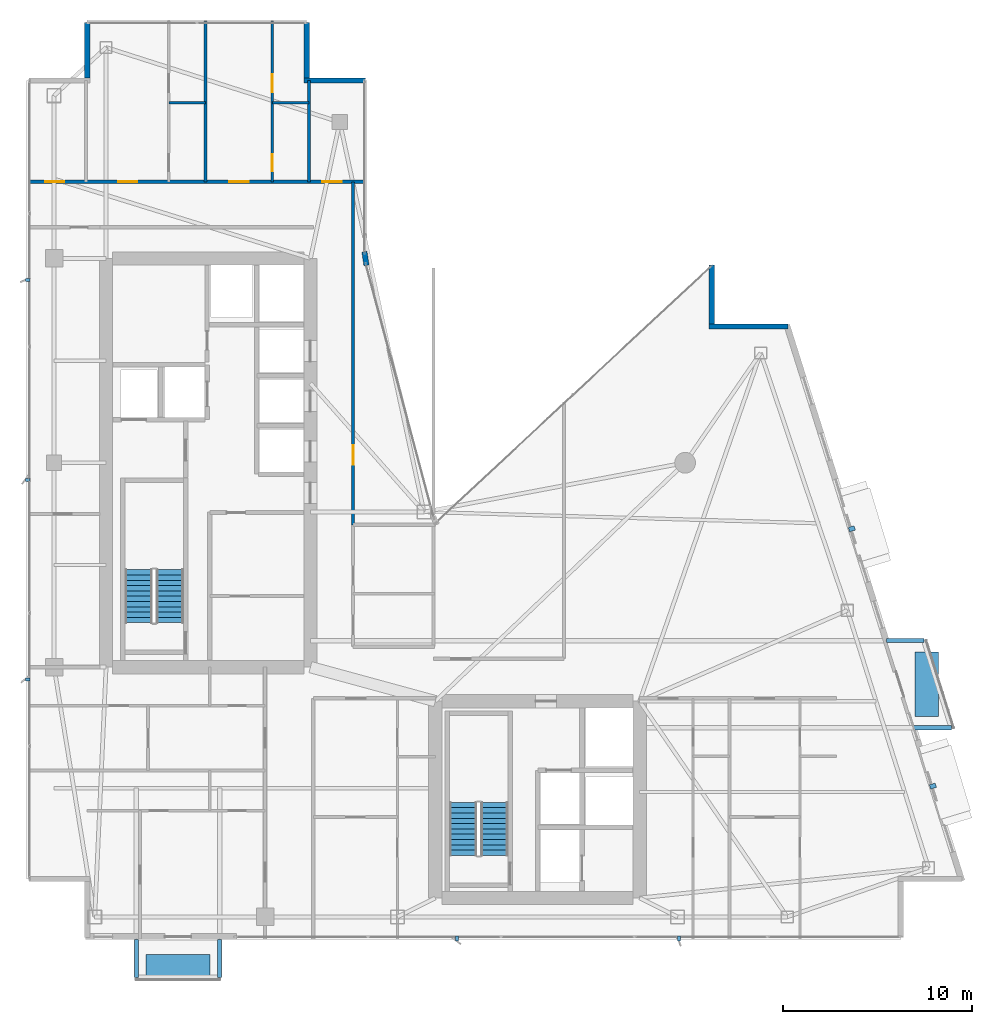
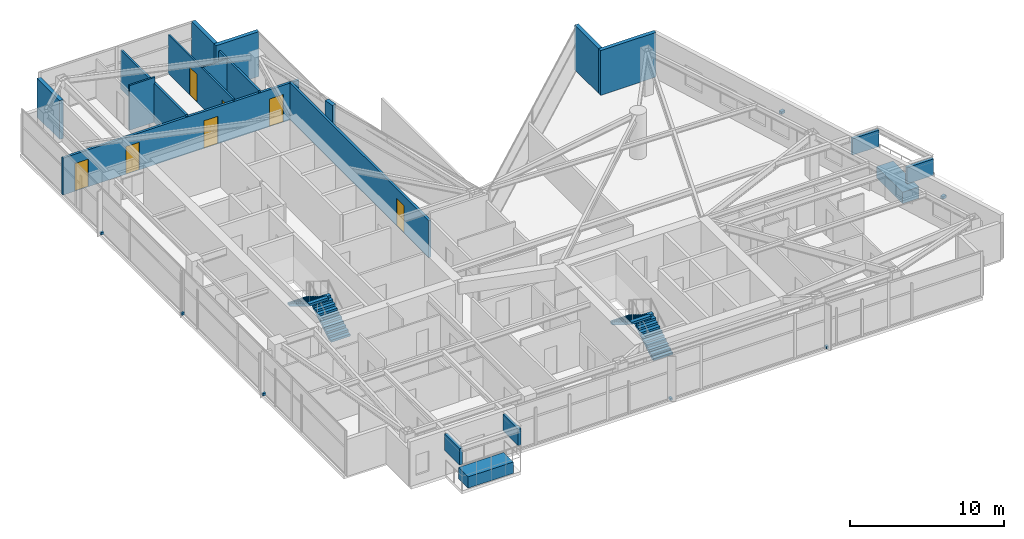
# One storey, part 25 of 27: 13 discrete accessories, 13 walls, 7 doors, 4 stair flights, 7 openings, 2 elements without a shape of their own.
"""IFC4 building model written with IfcOpenShell, lengths in metres."""

from ifc_helpers import new_model, si_unit, direction, frame, frame_2d, origin, origin_2d, place, context, subcontext, project, spatial, polyline, rectangle, outline, extrude, material, layer, layer_set, type_object, element, fill, aggregate, save


model = new_model("IFC4")

# Units and contexts
model_context = context("Model", 3, precision=1e-05, world=origin(), true_north=direction((0.0, 1.0)))
body_context = subcontext(model_context, "Body", "Model", "MODEL_VIEW")
ifc_project = project(units=[si_unit("LENGTHUNIT", "METRE"), si_unit("AREAUNIT", "SQUARE_METRE"), si_unit("VOLUMEUNIT", "CUBIC_METRE"), si_unit("PLANEANGLEUNIT", "RADIAN"), si_unit("MASSUNIT", "GRAM", prefix="KILO")], contexts=[model_context])

# Site, building, storey
site_placement = place(None, origin())
site = spatial("IfcSite", under=ifc_project, at=site_placement, CompositionType="ELEMENT")
building_placement = place(site_placement, origin())
building = spatial("IfcBuilding", under=site, at=building_placement, Name="Calvorn Quay Hotel", CompositionType="ELEMENT")
storey_placement = place(building_placement, frame((0.0, 0.0, 223.10009765625)))
storey = spatial("IfcBuildingStorey", under=building, at=storey_placement, Name="L55", CompositionType="ELEMENT", Elevation=223.10009765625)

# Wall, openings, doors
ifc_material_1 = material(Name="Acoustic Fireboard Steel-Stud Partition", Category="steel")
ifc_layer_1 = layer(ifc_material_1, 0.179931640625)
ifc_layer_set_1 = layer_set([ifc_layer_1], Name="WL-CORR-FIRE-180")
wall_type_1 = type_object("IfcWallType", Name="WL-CORR-FIRE-180", PredefinedType="PARTITIONING", material=ifc_layer_set_1)
wall_1_placement = place(storey_placement, frame((0.080078125, 42.449951171875, 0.0), z_axis=(0.0, 0.0, 1.0), x_axis=(1.0, 0.0, 0.0)))
wall_1 = element("IfcWall", 1, at=wall_1_placement, inside=storey, type_object=wall_type_1, Name="Partition Wall L55-WL-CORR-NW-N", PredefinedType="PARTITIONING", context=body_context, shape_type="SweptSolid", body=[
    extrude(rectangle(XDim=17.77001953125, YDim=0.179931640625, at=frame_2d((8.885009765625, 0.0))), origin(), (0.0, 0.0, 1.0), 2.93994140625),
])
opening_1_placement = place(wall_1_placement, frame((0.89990234375, 0.0, 0.0)))
opening_1 = element("IfcOpeningElement", 2, at=opening_1_placement, cuts=wall_1, Name="Opening D-L55-NWW", PredefinedType="OPENING", context=body_context, shape_type="SweptSolid", body=[
    extrude(rectangle(XDim=1.02001953125, YDim=2.199951171875, at=frame_2d((0.510009765625, 1.10009765625))), frame((0.0, 0.099853515625, 0.0), z_axis=(0.0, -1.0, 0.0), x_axis=(1.0, 0.0, 0.0)), (0.0, 0.0, 1.0), 0.199951171875),
])
opening_2_placement = place(wall_1_placement, frame((4.75, 0.0, 0.0)))
opening_2 = element("IfcOpeningElement", 3, at=opening_2_placement, cuts=wall_1, Name="Opening D-L55-U04", PredefinedType="OPENING", context=body_context, shape_type="SweptSolid", body=[
    extrude(rectangle(XDim=1.02001953125, YDim=2.199951171875, at=frame_2d((0.510009765625, 1.10009765625))), frame((0.0, 0.099853515625, 0.0), z_axis=(0.0, -1.0, 0.0), x_axis=(1.0, 0.0, 0.0)), (0.0, 0.0, 1.0), 0.199951171875),
])
opening_3_placement = place(wall_1_placement, frame((10.6298828125, 0.0, 0.0)))
opening_3 = element("IfcOpeningElement", 4, at=opening_3_placement, cuts=wall_1, Name="Opening D-L55-U05", PredefinedType="OPENING", context=body_context, shape_type="SweptSolid", body=[
    extrude(rectangle(XDim=1.02001953125, YDim=2.199951171875, at=frame_2d((0.510009765625, 1.10009765625))), frame((0.0, 0.099853515625, 0.0), z_axis=(0.0, -1.0, 0.0), x_axis=(1.0, 0.0, 0.0)), (0.0, 0.0, 1.0), 0.199951171875),
])
opening_4_placement = place(wall_1_placement, frame((15.550048828125, 0.0, 0.0)))
opening_4 = element("IfcOpeningElement", 5, at=opening_4_placement, cuts=wall_1, Name="Opening D-L55-NWE", PredefinedType="OPENING", context=body_context, shape_type="SweptSolid", body=[
    extrude(rectangle(XDim=1.02001953125, YDim=2.199951171875, at=frame_2d((0.510009765625, 1.10009765625))), frame((0.0, 0.099853515625, 0.0), z_axis=(0.0, -1.0, 0.0), x_axis=(1.0, 0.0, 0.0)), (0.0, 0.0, 1.0), 0.199951171875),
])
ifc_material_2 = material(Name="Solid-Core Walnut Veneer Hotel Fire Door")
door_type_1 = type_object("IfcDoorType", Name="DR-GUEST-ENTRY-1020", OperationType="NOTDEFINED", PredefinedType="DOOR", material=ifc_material_2)
door_1_placement = place(opening_1_placement, origin())
door_1 = element("IfcDoor", 6, at=door_1_placement, inside=storey, type_object=door_type_1, Name="West Corner Study Door (L55)", OperationType="SINGLE_SWING_LEFT", OverallHeight=2.199951171875, OverallWidth=1.02001953125, PredefinedType="DOOR", context=body_context, shape_type="SweptSolid", body=[
    extrude(rectangle(XDim=1.02001953125, YDim=2.199951171875, at=frame_2d((0.510009765625, 1.10009765625))), frame((0.0, 0.02490234375, 0.0), z_axis=(0.0, -1.0, 0.0), x_axis=(1.0, 0.0, 0.0)), (0.0, 0.0, 1.0), 0.050048828125),
])
fill(opening_1, door_1)
door_2_placement = place(opening_2_placement, origin())
door_2 = element("IfcDoor", 7, at=door_2_placement, inside=storey, type_object=door_type_1, Name="North-West Unit Door U04 (L55)", OperationType="SINGLE_SWING_RIGHT", OverallHeight=2.199951171875, OverallWidth=1.02001953125, PredefinedType="DOOR", context=body_context, shape_type="SweptSolid", body=[
    extrude(rectangle(XDim=1.02001953125, YDim=2.199951171875, at=frame_2d((0.510009765625, 1.10009765625))), frame((0.0, 0.02490234375, 0.0), z_axis=(0.0, -1.0, 0.0), x_axis=(1.0, 0.0, 0.0)), (0.0, 0.0, 1.0), 0.050048828125),
])
fill(opening_2, door_2)
door_3_placement = place(opening_3_placement, origin())
door_3 = element("IfcDoor", 8, at=door_3_placement, inside=storey, type_object=door_type_1, Name="North-West Unit Door U05 (L55)", OperationType="SINGLE_SWING_LEFT", OverallHeight=2.199951171875, OverallWidth=1.02001953125, PredefinedType="DOOR", context=body_context, shape_type="SweptSolid", body=[
    extrude(rectangle(XDim=1.02001953125, YDim=2.199951171875, at=frame_2d((0.510009765625, 1.10009765625))), frame((0.0, 0.02490234375, 0.0), z_axis=(0.0, -1.0, 0.0), x_axis=(1.0, 0.0, 0.0)), (0.0, 0.0, 1.0), 0.050048828125),
])
fill(opening_3, door_3)
door_4_placement = place(opening_4_placement, origin())
door_4 = element("IfcDoor", 9, at=door_4_placement, inside=storey, type_object=door_type_1, Name="Inner Court Study Door (L55)", OperationType="SINGLE_SWING_RIGHT", OverallHeight=2.199951171875, OverallWidth=1.02001953125, PredefinedType="DOOR", context=body_context, shape_type="SweptSolid", body=[
    extrude(rectangle(XDim=1.02001953125, YDim=2.199951171875, at=frame_2d((0.510009765625, 1.10009765625))), frame((0.0, 0.02490234375, 0.0), z_axis=(0.0, -1.0, 0.0), x_axis=(1.0, 0.0, 0.0)), (0.0, 0.0, 1.0), 0.050048828125),
])
fill(opening_4, door_4)

# Wall, opening, door
wall_2_placement = place(storey_placement, frame((17.25, 24.300048828125, 0.0), z_axis=(0.0, 0.0, 1.0), x_axis=(0.0, 1.0, 0.0)))
wall_2 = element("IfcWall", 10, at=wall_2_placement, inside=storey, type_object=wall_type_1, Name="Partition Wall L55-WL-NW-CLOSURE-E", PredefinedType="PARTITIONING", context=body_context, shape_type="SweptSolid", body=[
    extrude(rectangle(XDim=18.14990234375, YDim=0.179931640625, at=frame_2d((9.074951171875, 0.0))), origin(), (0.0, 0.0, 1.0), 2.93994140625),
])
opening_5_placement = place(wall_2_placement, frame((3.199951171875, 0.0, 0.0)))
opening_5 = element("IfcOpeningElement", 11, at=opening_5_placement, cuts=wall_2, Name="Opening D-L55-NCU", PredefinedType="OPENING", context=body_context, shape_type="SweptSolid", body=[
    extrude(rectangle(XDim=1.02001953125, YDim=2.199951171875, at=frame_2d((0.510009765625, 1.10009765625))), frame((0.0, 0.099853515625, 0.0), z_axis=(0.0, -1.0, 0.0), x_axis=(1.0, 0.0, 0.0)), (0.0, 0.0, 1.0), 0.199951171875),
])
door_5_placement = place(opening_5_placement, origin())
door_5 = element("IfcDoor", 12, at=door_5_placement, inside=storey, type_object=door_type_1, Name="Inner Court Horizon Study Door (L55)", OperationType="SINGLE_SWING_RIGHT", OverallHeight=2.199951171875, OverallWidth=1.02001953125, PredefinedType="DOOR", context=body_context, shape_type="SweptSolid", body=[
    extrude(rectangle(XDim=1.02001953125, YDim=2.199951171875, at=frame_2d((0.510009765625, 1.10009765625))), frame((0.0, 0.02490234375, 0.0), z_axis=(0.0, -1.0, 0.0), x_axis=(1.0, 0.0, 0.0)), (0.0, 0.0, 1.0), 0.050048828125),
])
fill(opening_5, door_5)

# Walls
ifc_material_3 = material(Name="Moisture-Resistant Tile-Backed Partition")
ifc_layer_2 = layer(ifc_material_3, 0.125)
ifc_layer_set_2 = layer_set([ifc_layer_2], Name="WL-ENSUITE-125")
wall_type_2 = type_object("IfcWallType", Name="WL-ENSUITE-125", PredefinedType="PARTITIONING", material=ifc_layer_set_2)
wall_3_placement = place(storey_placement, frame((7.52001953125, 46.6201171875, 0.0), z_axis=(0.0, 0.0, 1.0), x_axis=(1.0, 0.0, 0.0)))
element("IfcWall", 13, at=wall_3_placement, inside=storey, type_object=wall_type_2, Name="Partition Wall L55-WL-U04-BDV", PredefinedType="PARTITIONING", context=body_context, shape_type="SweptSolid", body=[
    extrude(rectangle(XDim=1.929931640625, YDim=0.125, at=frame_2d((0.96484375, 0.0))), origin(), (0.0, 0.0, 1.0), 3.559814453125),
])
wall_4_placement = place(storey_placement, frame((12.989990234375, 46.6201171875, 0.0), z_axis=(0.0, 0.0, 1.0), x_axis=(1.0, 0.0, 0.0)))
element("IfcWall", 14, at=wall_4_placement, inside=storey, type_object=wall_type_2, Name="Partition Wall L55-WL-U05-BDV", PredefinedType="PARTITIONING", context=body_context, shape_type="SweptSolid", body=[
    extrude(rectangle(XDim=1.929931640625, YDim=0.125, at=frame_2d((0.96484375, 0.0))), origin(), (0.0, 0.0, 1.0), 3.08984375),
])

# Wall, openings, doors
wall_5_placement = place(storey_placement, frame((12.989990234375, 42.449951171875, 0.0), z_axis=(0.0, 0.0, 1.0), x_axis=(0.0, 1.0, 0.0)))
wall_5 = element("IfcWall", 15, at=wall_5_placement, inside=storey, type_object=wall_type_2, Name="Partition Wall L55-WL-U05-BV", PredefinedType="PARTITIONING", context=body_context, shape_type="SweptSolid", body=[
    extrude(rectangle(XDim=8.489990234375, YDim=0.125, at=frame_2d((4.2451171875, 0.0))), origin(), (0.0, 0.0, 1.0), 3.08984375),
])
opening_6_placement = place(wall_5_placement, frame((0.550048828125, 0.0, 0.0)))
opening_6 = element("IfcOpeningElement", 16, at=opening_6_placement, cuts=wall_5, Name="Opening D-L55-E05", PredefinedType="OPENING", context=body_context, shape_type="SweptSolid", body=[
    extrude(rectangle(XDim=0.89990234375, YDim=2.14990234375, at=frame_2d((0.449951171875, 1.074951171875))), frame((0.0, 0.072509765625, 0.0), z_axis=(0.0, -1.0, 0.0), x_axis=(1.0, 0.0, 0.0)), (0.0, 0.0, 1.0), 0.14501953125),
])
opening_7_placement = place(wall_5_placement, frame((4.719970703125, 0.0, 0.0)))
opening_7 = element("IfcOpeningElement", 17, at=opening_7_placement, cuts=wall_5, Name="Opening D-L55-S05", PredefinedType="OPENING", context=body_context, shape_type="SweptSolid", body=[
    extrude(rectangle(XDim=0.9599609375, YDim=2.199951171875, at=frame_2d((0.47998046875, 1.10009765625))), frame((0.0, 0.072509765625, 0.0), z_axis=(0.0, -1.0, 0.0), x_axis=(1.0, 0.0, 0.0)), (0.0, 0.0, 1.0), 0.14501953125),
])
ifc_material_4 = material(Name="Moisture-Sealed Timber En-Suite Door", Category="wood")
door_type_2 = type_object("IfcDoorType", Name="DR-ENSUITE-900", OperationType="NOTDEFINED", PredefinedType="DOOR", material=ifc_material_4)
door_6_placement = place(opening_6_placement, origin())
door_6 = element("IfcDoor", 18, at=door_6_placement, inside=storey, type_object=door_type_2, Name="En-Suite Door 05", OperationType="SINGLE_SWING_LEFT", OverallHeight=2.14990234375, OverallWidth=0.89990234375, PredefinedType="DOOR", context=body_context, shape_type="SweptSolid", body=[
    extrude(rectangle(XDim=0.89990234375, YDim=2.14990234375, at=frame_2d((0.449951171875, 1.074951171875))), frame((0.0, 0.02490234375, 0.0), z_axis=(0.0, -1.0, 0.0), x_axis=(1.0, 0.0, 0.0)), (0.0, 0.0, 1.0), 0.050048828125),
])
fill(opening_6, door_6)
ifc_material_5 = material(Name="Solid Timber Internal Suite Door", Category="wood")
door_type_3 = type_object("IfcDoorType", Name="DR-SUITE-INT-960", OperationType="NOTDEFINED", PredefinedType="DOOR", material=ifc_material_5)
door_7_placement = place(opening_7_placement, origin())
door_7 = element("IfcDoor", 19, at=door_7_placement, inside=storey, type_object=door_type_3, Name="Private Executive Study Door 05", OperationType="SINGLE_SWING_RIGHT", OverallHeight=2.199951171875, OverallWidth=0.9599609375, PredefinedType="DOOR", context=body_context, shape_type="SweptSolid", body=[
    extrude(rectangle(XDim=0.9599609375, YDim=2.199951171875, at=frame_2d((0.47998046875, 1.10009765625))), frame((0.0, 0.02490234375, 0.0), z_axis=(0.0, -1.0, 0.0), x_axis=(1.0, 0.0, 0.0)), (0.0, 0.0, 1.0), 0.050048828125),
])
fill(opening_7, door_7)

# Walls
ifc_material_6 = material(Name="Concrete C40", Category="concrete")
ifc_layer_3 = layer(ifc_material_6, 0.320068359375)
ifc_layer_set_3 = layer_set([ifc_layer_3], Name="WL-EXT-SPANDREL-320")
wall_type_3 = type_object("IfcWallType", Name="WL-EXT-SPANDREL-320", PredefinedType="SOLIDWALL", material=ifc_layer_set_3)
wall_6_placement = place(storey_placement, frame((17.9619140625, 38.030029296875, 0.0), z_axis=(0.0, 0.0, 1.0), x_axis=(-0.15141125477, 0.988470855377, 0.0)))
element("IfcWall", 20, at=wall_6_placement, inside=storey, type_object=wall_type_3, Name="Inner Court Corner Pier L55-ICJ2", PredefinedType="SOLIDWALL", context=body_context, shape_type="SweptSolid", body=[
    extrude(rectangle(XDim=0.738525390625, YDim=0.280029296875, at=frame_2d((0.369140625, 0.0))), origin(), (0.0, 0.0, 1.0), 3.559814453125),
])
wall_7_placement = place(storey_placement, frame((40.239990234375, 34.800048828125, 0.0), z_axis=(0.0, 0.0, 1.0), x_axis=(-1.0, 0.0, 0.0)))
element("IfcWall", 21, at=wall_7_placement, inside=storey, type_object=wall_type_3, Name="Notched Corner Spandrel L55-NE1", PredefinedType="SOLIDWALL", context=body_context, shape_type="SweptSolid", body=[
    extrude(rectangle(XDim=4.179931640625, YDim=0.280029296875, at=frame_2d((2.08984375, 0.0))), origin(), (0.0, 0.0, 1.0), 3.559814453125),
])
wall_8_placement = place(storey_placement, frame((36.199951171875, 34.93994140625, 0.0), z_axis=(0.0, 0.0, 1.0), x_axis=(0.0, 1.0, 0.0)))
element("IfcWall", 22, at=wall_8_placement, inside=storey, type_object=wall_type_3, Name="Notched Corner Spandrel L55-NE2", PredefinedType="SOLIDWALL", context=body_context, shape_type="SweptSolid", body=[
    extrude(rectangle(XDim=3.10009765625, YDim=0.280029296875, at=frame_2d((1.550048828125, 0.0))), origin(), (0.0, 0.0, 1.0), 3.559814453125),
])
wall_9_placement = place(storey_placement, frame((17.89990234375, 47.800048828125, 0.0), z_axis=(0.0, 0.0, 1.0), x_axis=(-1.0, 0.0, 0.0)))
element("IfcWall", 23, at=wall_9_placement, inside=storey, type_object=wall_type_3, Name="Notched Corner Spandrel L55-NWE1", PredefinedType="SOLIDWALL", context=body_context, shape_type="SweptSolid", body=[
    extrude(rectangle(XDim=3.239990234375, YDim=0.280029296875, at=frame_2d((1.6201171875, 0.0))), origin(), (0.0, 0.0, 1.0), 3.559814453125),
])
wall_10_placement = place(storey_placement, frame((14.800048828125, 47.93994140625, 0.0), z_axis=(0.0, 0.0, 1.0), x_axis=(0.0, 1.0, 0.0)))
element("IfcWall", 24, at=wall_10_placement, inside=storey, type_object=wall_type_3, Name="Notched Corner Spandrel L55-NWE2", PredefinedType="SOLIDWALL", context=body_context, shape_type="SweptSolid", body=[
    extrude(rectangle(XDim=2.93994140625, YDim=0.280029296875, at=frame_2d((1.469970703125, 0.0))), origin(), (0.0, 0.0, 1.0), 3.559814453125),
])
wall_11_placement = place(storey_placement, frame((3.199951171875, 50.8798828125, 0.0), z_axis=(0.0, 0.0, 1.0), x_axis=(0.0, -1.0, 0.0)))
element("IfcWall", 25, at=wall_11_placement, inside=storey, type_object=wall_type_3, Name="Notched Corner Spandrel L55-NW1", PredefinedType="SOLIDWALL", context=body_context, shape_type="SweptSolid", body=[
    extrude(rectangle(XDim=2.93994140625, YDim=0.280029296875, at=frame_2d((1.469970703125, 0.0))), origin(), (0.0, 0.0, 1.0), 3.08984375),
])
ifc_material_7 = material(Name="Double-Stud Acoustic Gypsum Partition")
ifc_layer_4 = layer(ifc_material_7, 0.159912109375)
ifc_layer_set_4 = layer_set([ifc_layer_4], Name="WL-INTERSUITE-160")
wall_type_4 = type_object("IfcWallType", Name="WL-INTERSUITE-160", PredefinedType="PARTITIONING", material=ifc_layer_set_4)
wall_12_placement = place(storey_placement, frame((14.919921875, 42.449951171875, 0.0), z_axis=(0.0, 0.0, 1.0), x_axis=(0.0, 1.0, 0.0)))
element("IfcWall", 26, at=wall_12_placement, inside=storey, type_object=wall_type_4, Name="Partition Wall L55-WL-NW-DIV-E0", PredefinedType="PARTITIONING", context=body_context, shape_type="SweptSolid", body=[
    extrude(rectangle(XDim=5.35009765625, YDim=0.159912109375, at=frame_2d((2.675048828125, 0.0))), origin(), (0.0, 0.0, 1.0), 3.08984375),
])
wall_13_placement = place(storey_placement, frame((9.449951171875, 42.449951171875, 0.0), z_axis=(0.0, 0.0, 1.0), x_axis=(0.0, 1.0, 0.0)))
element("IfcWall", 27, at=wall_13_placement, inside=storey, type_object=wall_type_4, Name="Partition Wall L55-WL-NW-DIV-1", PredefinedType="PARTITIONING", context=body_context, shape_type="SweptSolid", body=[
    extrude(rectangle(XDim=8.489990234375, YDim=0.159912109375, at=frame_2d((4.2451171875, 0.0))), origin(), (0.0, 0.0, 1.0), 3.08984375),
])

# Stair, stair flights
ifc_material_8 = material(Name="Concrete C40", Category="concrete")
stair_type = type_object("IfcStairType", Name="STR-CORE-DOGLEG", PredefinedType="HALF_TURN_STAIR", material=ifc_material_8)
stair_1_placement = place(storey_placement, origin())
stair_1 = element("IfcStair", 28, at=stair_1_placement, inside=storey, type_object=stair_type, Name="L55 ST-W", PredefinedType="HALF_TURN_STAIR")
ifc_material_9 = material(Name="Concrete C40", Category="concrete")
stair_flight_type = type_object("IfcStairFlightType", Name="FLT-CORE-1550", PredefinedType="STRAIGHT", material=ifc_material_9)
stair_flight_1_placement = place(storey_placement, frame((7.574951171875, 19.14990234375, 0.0), z_axis=(0.0, 0.0, 1.0), x_axis=(0.0, 1.0, 0.0)))
stair_flight_1 = element("IfcStairFlight", 29, at=stair_flight_1_placement, type_object=stair_flight_type, Name="ST-W flight 1", NumberOfRisers=11, NumberOfTreads=10, PredefinedType="STRAIGHT", RiserHeight=0.172727273, TreadLength=0.28, context=body_context, shape_type="SweptSolid", body=[
    extrude(outline(polyline([(0.0, 0.0), (0.0, 0.172607421875), (0.280029296875, 0.172607421875), (0.280029296875, 0.345458984375), (0.56005859375, 0.345458984375), (0.56005859375, 0.51806640625), (0.840087890625, 0.51806640625), (0.840087890625, 0.69091796875), (1.1201171875, 0.69091796875), (1.1201171875, 0.863525390625), (1.39990234375, 0.863525390625), (1.39990234375, 1.036376953125), (1.679931640625, 1.036376953125), (1.679931640625, 1.208984375), (1.9599609375, 1.208984375), (1.9599609375, 1.3818359375), (2.239990234375, 1.3818359375), (2.239990234375, 1.554443359375), (2.52001953125, 1.554443359375), (2.52001953125, 1.727294921875), (2.800048828125, 1.727294921875), (2.800048828125, 1.89990234375), (2.800048828125, 1.551025390625), (0.285400390625, 0.0), (0.0, 0.0)])), frame((0.0, 0.72509765625, 0.0), z_axis=(0.0, -1.0, 0.0), x_axis=(1.0, 0.0, 0.0)), (0.0, 0.0, 1.0), 1.449951171875),
])
stair_flight_2_placement = place(storey_placement, frame((5.925048828125, 21.949951171875, 1.89990234375), z_axis=(0.0, 0.0, 1.0), x_axis=(0.0, -1.0, 0.0)))
stair_flight_2 = element("IfcStairFlight", 30, at=stair_flight_2_placement, type_object=stair_flight_type, Name="ST-W flight 2", NumberOfRisers=11, NumberOfTreads=10, PredefinedType="STRAIGHT", RiserHeight=0.172727273, TreadLength=0.28, context=body_context, shape_type="SweptSolid", body=[
    extrude(outline(polyline([(0.0, 0.0), (0.0, 0.172607421875), (0.280029296875, 0.172607421875), (0.280029296875, 0.345458984375), (0.56005859375, 0.345458984375), (0.56005859375, 0.51806640625), (0.840087890625, 0.51806640625), (0.840087890625, 0.69091796875), (1.1201171875, 0.69091796875), (1.1201171875, 0.863525390625), (1.39990234375, 0.863525390625), (1.39990234375, 1.036376953125), (1.679931640625, 1.036376953125), (1.679931640625, 1.208984375), (1.9599609375, 1.208984375), (1.9599609375, 1.3818359375), (2.239990234375, 1.3818359375), (2.239990234375, 1.554443359375), (2.52001953125, 1.554443359375), (2.52001953125, 1.727294921875), (2.800048828125, 1.727294921875), (2.800048828125, 1.89990234375), (2.800048828125, 1.551025390625), (0.285400390625, 0.0), (0.0, 0.0)])), frame((0.0, 0.72509765625, 0.0), z_axis=(0.0, -1.0, 0.0), x_axis=(1.0, 0.0, 0.0)), (0.0, 0.0, 1.0), 1.449951171875),
])
aggregate(stair_1, [stair_flight_1, stair_flight_2])

stair_2_placement = place(storey_placement, origin())
stair_2 = element("IfcStair", 31, at=stair_2_placement, inside=storey, type_object=stair_type, Name="L55 ST-E", PredefinedType="HALF_TURN_STAIR")
stair_flight_3_placement = place(storey_placement, frame((24.72509765625, 6.85009765625, 0.0), z_axis=(0.0, 0.0, 1.0), x_axis=(0.0, 1.0, 0.0)))
stair_flight_3 = element("IfcStairFlight", 32, at=stair_flight_3_placement, type_object=stair_flight_type, Name="ST-E flight 1", NumberOfRisers=11, NumberOfTreads=10, PredefinedType="STRAIGHT", RiserHeight=0.172727273, TreadLength=0.28, context=body_context, shape_type="SweptSolid", body=[
    extrude(outline(polyline([(0.0, 0.0), (0.0, 0.172607421875), (0.280029296875, 0.172607421875), (0.280029296875, 0.345458984375), (0.56005859375, 0.345458984375), (0.56005859375, 0.51806640625), (0.840087890625, 0.51806640625), (0.840087890625, 0.69091796875), (1.1201171875, 0.69091796875), (1.1201171875, 0.863525390625), (1.39990234375, 0.863525390625), (1.39990234375, 1.036376953125), (1.679931640625, 1.036376953125), (1.679931640625, 1.208984375), (1.9599609375, 1.208984375), (1.9599609375, 1.3818359375), (2.239990234375, 1.3818359375), (2.239990234375, 1.554443359375), (2.52001953125, 1.554443359375), (2.52001953125, 1.727294921875), (2.800048828125, 1.727294921875), (2.800048828125, 1.89990234375), (2.800048828125, 1.551025390625), (0.285400390625, 0.0), (0.0, 0.0)])), frame((0.0, 0.72509765625, 0.0), z_axis=(0.0, -1.0, 0.0), x_axis=(1.0, 0.0, 0.0)), (0.0, 0.0, 1.0), 1.449951171875),
])
stair_flight_4_placement = place(storey_placement, frame((23.074951171875, 9.64990234375, 1.89990234375), z_axis=(0.0, 0.0, 1.0), x_axis=(0.0, -1.0, 0.0)))
stair_flight_4 = element("IfcStairFlight", 33, at=stair_flight_4_placement, type_object=stair_flight_type, Name="ST-E flight 2", NumberOfRisers=11, NumberOfTreads=10, PredefinedType="STRAIGHT", RiserHeight=0.172727273, TreadLength=0.28, context=body_context, shape_type="SweptSolid", body=[
    extrude(outline(polyline([(0.0, 0.0), (0.0, 0.172607421875), (0.280029296875, 0.172607421875), (0.280029296875, 0.345458984375), (0.56005859375, 0.345458984375), (0.56005859375, 0.51806640625), (0.840087890625, 0.51806640625), (0.840087890625, 0.69091796875), (1.1201171875, 0.69091796875), (1.1201171875, 0.863525390625), (1.39990234375, 0.863525390625), (1.39990234375, 1.036376953125), (1.679931640625, 1.036376953125), (1.679931640625, 1.208984375), (1.9599609375, 1.208984375), (1.9599609375, 1.3818359375), (2.239990234375, 1.3818359375), (2.239990234375, 1.554443359375), (2.52001953125, 1.554443359375), (2.52001953125, 1.727294921875), (2.800048828125, 1.727294921875), (2.800048828125, 1.89990234375), (2.800048828125, 1.551025390625), (0.285400390625, 0.0), (0.0, 0.0)])), frame((0.0, 0.72509765625, 0.0), z_axis=(0.0, -1.0, 0.0), x_axis=(1.0, 0.0, 0.0)), (0.0, 0.0, 1.0), 1.449951171875),
])
aggregate(stair_2, [stair_flight_3, stair_flight_4])

# Discrete accessories
ifc_material_10 = material(Name="Steel Q355B", Category="steel")
discrete_accessory_type_1 = type_object("IfcDiscreteAccessoryType", Name="ACC-BALC-STRUT", PredefinedType="BRACKET", material=ifc_material_10)
for number, where, z_axis, x_axis, name in (
    (34, (47.8740234375, 13.60009765625, 2.0146484375), (0.0, 0.0, 1.0), (1.0, 0.0, 0.0), "Exterior Balcony Steel Bracket L56-BALC-E-A"),
    (35, (46.425048828125, 18.199951171875, 2.0146484375), (0.0, 0.0, 1.0), (1.0, 0.0, 0.0), "Exterior Balcony Steel Bracket L56-BALC-E-B"),
):
    element("IfcDiscreteAccessory", number, at=place(storey_placement, frame(where, z_axis=z_axis, x_axis=x_axis)), inside=storey, type_object=discrete_accessory_type_1, Name=name, PredefinedType="BRACKET", context=body_context, shape_type="SweptSolid", body=[
        extrude(rectangle(XDim=1.989990234375, YDim=0.219970703125, at=origin_2d()), origin(), (0.0, 0.0, 1.0), 1.300048828125),
    ])
for number, where, z_axis, x_axis, name in (
    (36, (5.800048828125, 1.405029296875, 2.0146484375), (0.0, 0.0, 1.0), (1.0, 0.0, 0.0), "Exterior Balcony Steel Bracket L56-BALC-S-A"),
    (37, (10.199951171875, 1.405029296875, 2.0146484375), (0.0, 0.0, 1.0), (1.0, 0.0, 0.0), "Exterior Balcony Steel Bracket L56-BALC-S-B"),
):
    element("IfcDiscreteAccessory", number, at=place(storey_placement, frame(where, z_axis=z_axis, x_axis=x_axis)), inside=storey, type_object=discrete_accessory_type_1, Name=name, PredefinedType="BRACKET", context=body_context, shape_type="SweptSolid", body=[
        extrude(rectangle(XDim=0.219970703125, YDim=1.989990234375, at=origin_2d()), origin(), (0.0, 0.0, 1.0), 1.300048828125),
    ])
ifc_material_11 = material(Name="Steel Q355B", Category="steel")
discrete_accessory_type_2 = type_object("IfcDiscreteAccessoryType", Name="ACC-FIN-BRACKET", PredefinedType="BRACKET", material=ifc_material_11)
for number, where, z_axis, x_axis, name in (
    (38, (0.06005859375, 16.14990234375, 0.02978515625), (0.0, 0.0, 1.0), (1.0, 0.0, 0.0), "Fin Anchor Bracket L55-W01"),
    (39, (0.06005859375, 26.699951171875, 0.02978515625), (0.0, 0.0, 1.0), (1.0, 0.0, 0.0), "Fin Anchor Bracket L55-W02"),
    (40, (0.06005859375, 37.25, 0.02978515625), (0.0, 0.0, 1.0), (1.0, 0.0, 0.0), "Fin Anchor Bracket L55-W03"),
    (41, (22.73291015625, 2.4599609375, 0.02978515625), (0.0, 0.0, 1.0), (0.0, 1.0, 0.0), "Fin Anchor Bracket L55-S01"),
    (42, (34.467041015625, 2.4599609375, 0.02978515625), (0.0, 0.0, 1.0), (0.0, 1.0, 0.0), "Fin Anchor Bracket L55-S02"),
):
    element("IfcDiscreteAccessory", number, at=place(storey_placement, frame(where, z_axis=z_axis, x_axis=x_axis)), inside=storey, type_object=discrete_accessory_type_2, Name=name, PredefinedType="BRACKET", context=body_context, shape_type="SweptSolid", body=[
        extrude(rectangle(XDim=0.239990234375, YDim=0.159912109375, at=origin_2d()), origin(), (0.0, 0.0, 1.0), 0.179931640625),
    ])
for number, where, z_axis, x_axis, name in (
    (43, (47.89501953125, 10.511962890625, 2.3701171875), (0.0, 0.0, 1.0), (0.957319497532, 0.289031796944, 0.0), "Bay Hood Support Bracket L55-HOOD-1"),
    (44, (43.610107421875, 24.112060546875, 2.3701171875), (0.0, 0.0, 1.0), (0.957319497532, 0.289031796944, 0.0), "Bay Hood Support Bracket L55-HOOD-3"),
):
    element("IfcDiscreteAccessory", number, at=place(storey_placement, frame(where, z_axis=z_axis, x_axis=x_axis)), inside=storey, type_object=discrete_accessory_type_2, Name=name, PredefinedType="BRACKET", context=body_context, shape_type="SweptSolid", body=[
        extrude(rectangle(XDim=0.320068359375, YDim=0.239990234375, at=origin_2d()), origin(), (0.0, 0.0, 1.0), 0.199951171875),
    ])
ifc_material_12 = material(Name="Precast concrete C40", Category="concrete")
discrete_accessory_type_3 = type_object("IfcDiscreteAccessoryType", Name="ACC-TREE-PLANTER", PredefinedType="USERDEFINED", material=ifc_material_12)
discrete_accessory_1_placement = place(storey_placement, frame((47.56494140625, 15.89990234375, 0.0), z_axis=(0.0, 0.0, 1.0), x_axis=(1.0, 0.0, 0.0)))
element("IfcDiscreteAccessory", 45, at=discrete_accessory_1_placement, inside=storey, type_object=discrete_accessory_type_3, Name="Subtropical Tree Structural Planter L55-BALC-E", ObjectType="PLANTER", PredefinedType="USERDEFINED", context=body_context, shape_type="SweptSolid", body=[
    extrude(rectangle(XDim=1.25, YDim=3.39990234375, at=origin_2d()), origin(), (0.0, 0.0, 1.0), 0.89990234375),
])
discrete_accessory_2_placement = place(storey_placement, frame((8.0, 0.989990234375, 0.0), z_axis=(0.0, 0.0, 1.0), x_axis=(1.0, 0.0, 0.0)))
element("IfcDiscreteAccessory", 46, at=discrete_accessory_2_placement, inside=storey, type_object=discrete_accessory_type_3, Name="Subtropical Tree Structural Planter L55-BALC-S", ObjectType="PLANTER", PredefinedType="USERDEFINED", context=body_context, shape_type="SweptSolid", body=[
    extrude(rectangle(XDim=3.39990234375, YDim=1.25, at=origin_2d()), origin(), (0.0, 0.0, 1.0), 0.89990234375),
])

save(model, "model.ifc")
